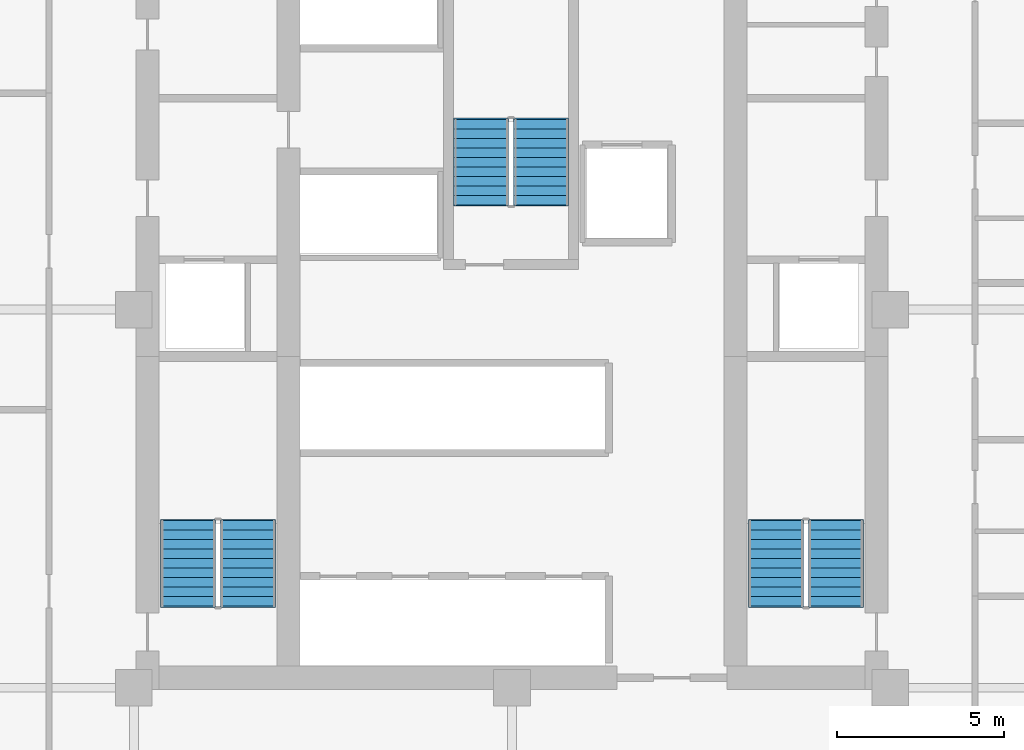
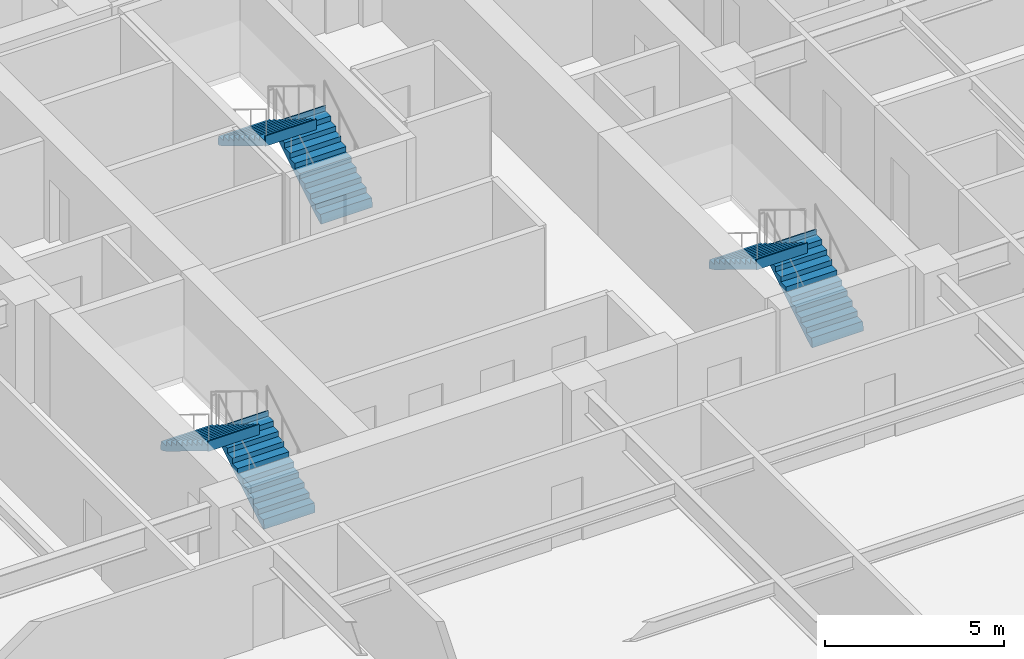
# One storey, part 7 of 8: 6 stair flights, 3 elements without a shape of their own.
"""IFC4 building model written with IfcOpenShell, lengths in metres."""

from ifc_helpers import new_model, si_unit, direction, frame, origin, place, context, subcontext, project, spatial, polyline, outline, extrude, material, type_object, element, aggregate, save


model = new_model("IFC4")

# Units and contexts
model_context = context("Model", 3, precision=1e-05, world=origin(), true_north=direction((0.0, 1.0)))
body_context = subcontext(model_context, "Body", "Model", "MODEL_VIEW")
ifc_project = project(units=[si_unit("LENGTHUNIT", "METRE"), si_unit("AREAUNIT", "SQUARE_METRE"), si_unit("VOLUMEUNIT", "CUBIC_METRE"), si_unit("PLANEANGLEUNIT", "RADIAN"), si_unit("MASSUNIT", "GRAM", prefix="KILO")], contexts=[model_context])

# Site, building, storey
site_placement = place(None, origin())
site = spatial("IfcSite", under=ifc_project, at=site_placement, CompositionType="ELEMENT")
building_placement = place(site_placement, origin())
building = spatial("IfcBuilding", under=site, at=building_placement, Name="Nhamokura Convention Tower", CompositionType="ELEMENT")
storey_placement = place(building_placement, frame((0.0, 0.0, 56.35009765625)))
storey = spatial("IfcBuildingStorey", under=building, at=storey_placement, Name="L12", CompositionType="ELEMENT", Elevation=56.35009765625)

# Stair, stair flights
ifc_material_1 = material(Name="Concrete C40/50", Category="concrete")
stair_type = type_object("IfcStairType", Name="TowerCoreStair_1650", PredefinedType="HALF_TURN_STAIR", material=ifc_material_1)
stair_1_placement = place(storey_placement, origin())
stair_1 = element("IfcStair", 1, at=stair_1_placement, inside=storey, type_object=stair_type, Name="L12 West Core Smokeproof Stair ST-01", PredefinedType="HALF_TURN_STAIR")
ifc_material_2 = material(Name="Concrete C40/50", Category="concrete")
stair_flight_type = type_object("IfcStairFlightType", Name="TowerCoreStair_1650_Flight", PredefinedType="STRAIGHT", material=ifc_material_2)
stair_flight_1_placement = place(storey_placement, frame((24.074951171875, 23.10009765625, 0.0), z_axis=(0.0, 0.0, 1.0), x_axis=(0.0, 1.0, 0.0)))
stair_flight_1 = element("IfcStairFlight", 2, at=stair_flight_1_placement, type_object=stair_flight_type, Name="ST-01 flight 1", NumberOfRisers=10, NumberOfTreads=9, PredefinedType="STRAIGHT", RiserHeight=0.175, TreadLength=0.285, context=body_context, shape_type="SweptSolid", body=[
    extrude(outline(polyline([(-0.0419921875, 0.0), (0.0, 0.175048828125), (0.284912109375, 0.175048828125), (0.284912109375, 0.35009765625), (0.570068359375, 0.35009765625), (0.570068359375, 0.52490234375), (0.85498046875, 0.52490234375), (0.85498046875, 0.699951171875), (1.139892578125, 0.699951171875), (1.139892578125, 0.875), (1.425048828125, 0.875), (1.425048828125, 1.050048828125), (1.7099609375, 1.050048828125), (1.7099609375, 1.22509765625), (1.9951171875, 1.22509765625), (1.9951171875, 1.39990234375), (2.280029296875, 1.39990234375), (2.280029296875, 1.574951171875), (2.56494140625, 1.574951171875), (2.56494140625, 1.75), (2.60693359375, 1.75), (2.60693359375, 1.399169921875), (2.56494140625, 1.399169921875), (0.286376953125, 0.0), (0.02001953125, -0.1298828125), (-0.0419921875, -0.1298828125), (-0.0419921875, 0.0)])), frame((0.0, 0.824951171875, 0.0), z_axis=(0.0, -1.0, 0.0), x_axis=(1.0, 0.0, 0.0)), (0.0, 0.0, 1.0), 1.64990234375),
])
stair_flight_2_placement = place(storey_placement, frame((22.27490234375, 25.6650390625, 1.75), z_axis=(0.0, 0.0, 1.0), x_axis=(0.0, -1.0, 0.0)))
stair_flight_2 = element("IfcStairFlight", 3, at=stair_flight_2_placement, type_object=stair_flight_type, Name="ST-01 flight 2", NumberOfRisers=10, NumberOfTreads=9, PredefinedType="STRAIGHT", RiserHeight=0.175, TreadLength=0.285, context=body_context, shape_type="SweptSolid", body=[
    extrude(outline(polyline([(-0.0419921875, 0.0), (0.0, 0.175048828125), (0.284912109375, 0.175048828125), (0.284912109375, 0.35009765625), (0.570068359375, 0.35009765625), (0.570068359375, 0.52490234375), (0.85498046875, 0.52490234375), (0.85498046875, 0.699951171875), (1.139892578125, 0.699951171875), (1.139892578125, 0.875), (1.425048828125, 0.875), (1.425048828125, 1.050048828125), (1.7099609375, 1.050048828125), (1.7099609375, 1.22509765625), (1.9951171875, 1.22509765625), (1.9951171875, 1.39990234375), (2.280029296875, 1.39990234375), (2.280029296875, 1.574951171875), (2.56494140625, 1.574951171875), (2.56494140625, 1.75), (2.60693359375, 1.75), (2.60693359375, 1.399169921875), (2.56494140625, 1.399169921875), (0.286376953125, 0.0), (0.02001953125, -0.1298828125), (-0.0419921875, -0.1298828125), (-0.0419921875, 0.0)])), frame((0.0, 0.824951171875, 0.0), z_axis=(0.0, -1.0, 0.0), x_axis=(1.0, 0.0, 0.0)), (0.0, 0.0, 1.0), 1.64990234375),
])
aggregate(stair_1, [stair_flight_1, stair_flight_2])

stair_2_placement = place(storey_placement, origin())
stair_2 = element("IfcStair", 4, at=stair_2_placement, inside=storey, type_object=stair_type, Name="L12 East Core Smokeproof Stair ST-02", PredefinedType="HALF_TURN_STAIR")
stair_flight_3_placement = place(storey_placement, frame((41.72509765625, 23.10009765625, 0.0), z_axis=(0.0, 0.0, 1.0), x_axis=(0.0, 1.0, 0.0)))
stair_flight_3 = element("IfcStairFlight", 5, at=stair_flight_3_placement, type_object=stair_flight_type, Name="ST-02 flight 1", NumberOfRisers=10, NumberOfTreads=9, PredefinedType="STRAIGHT", RiserHeight=0.175, TreadLength=0.285, context=body_context, shape_type="SweptSolid", body=[
    extrude(outline(polyline([(-0.0419921875, 0.0), (0.0, 0.175048828125), (0.284912109375, 0.175048828125), (0.284912109375, 0.35009765625), (0.570068359375, 0.35009765625), (0.570068359375, 0.52490234375), (0.85498046875, 0.52490234375), (0.85498046875, 0.699951171875), (1.139892578125, 0.699951171875), (1.139892578125, 0.875), (1.425048828125, 0.875), (1.425048828125, 1.050048828125), (1.7099609375, 1.050048828125), (1.7099609375, 1.22509765625), (1.9951171875, 1.22509765625), (1.9951171875, 1.39990234375), (2.280029296875, 1.39990234375), (2.280029296875, 1.574951171875), (2.56494140625, 1.574951171875), (2.56494140625, 1.75), (2.60693359375, 1.75), (2.60693359375, 1.399169921875), (2.56494140625, 1.399169921875), (0.286376953125, 0.0), (0.02001953125, -0.1298828125), (-0.0419921875, -0.1298828125), (-0.0419921875, 0.0)])), frame((0.0, 0.824951171875, 0.0), z_axis=(0.0, -1.0, 0.0), x_axis=(1.0, 0.0, 0.0)), (0.0, 0.0, 1.0), 1.64990234375),
])
stair_flight_4_placement = place(storey_placement, frame((39.925048828125, 25.6650390625, 1.75), z_axis=(0.0, 0.0, 1.0), x_axis=(0.0, -1.0, 0.0)))
stair_flight_4 = element("IfcStairFlight", 6, at=stair_flight_4_placement, type_object=stair_flight_type, Name="ST-02 flight 2", NumberOfRisers=10, NumberOfTreads=9, PredefinedType="STRAIGHT", RiserHeight=0.175, TreadLength=0.285, context=body_context, shape_type="SweptSolid", body=[
    extrude(outline(polyline([(-0.0419921875, 0.0), (0.0, 0.175048828125), (0.284912109375, 0.175048828125), (0.284912109375, 0.35009765625), (0.570068359375, 0.35009765625), (0.570068359375, 0.52490234375), (0.85498046875, 0.52490234375), (0.85498046875, 0.699951171875), (1.139892578125, 0.699951171875), (1.139892578125, 0.875), (1.425048828125, 0.875), (1.425048828125, 1.050048828125), (1.7099609375, 1.050048828125), (1.7099609375, 1.22509765625), (1.9951171875, 1.22509765625), (1.9951171875, 1.39990234375), (2.280029296875, 1.39990234375), (2.280029296875, 1.574951171875), (2.56494140625, 1.574951171875), (2.56494140625, 1.75), (2.60693359375, 1.75), (2.60693359375, 1.399169921875), (2.56494140625, 1.399169921875), (0.286376953125, 0.0), (0.02001953125, -0.1298828125), (-0.0419921875, -0.1298828125), (-0.0419921875, 0.0)])), frame((0.0, 0.824951171875, 0.0), z_axis=(0.0, -1.0, 0.0), x_axis=(1.0, 0.0, 0.0)), (0.0, 0.0, 1.0), 1.64990234375),
])
aggregate(stair_2, [stair_flight_3, stair_flight_4])

stair_3_placement = place(storey_placement, origin())
stair_3 = element("IfcStair", 7, at=stair_3_placement, inside=storey, type_object=stair_type, Name="L12 North Core Smokeproof Stair ST-03", PredefinedType="HALF_TURN_STAIR")
stair_flight_5_placement = place(storey_placement, frame((32.875, 35.14990234375, 0.0), z_axis=(0.0, 0.0, 1.0), x_axis=(0.0, 1.0, 0.0)))
stair_flight_5 = element("IfcStairFlight", 8, at=stair_flight_5_placement, type_object=stair_flight_type, Name="ST-03 flight 1", NumberOfRisers=10, NumberOfTreads=9, PredefinedType="STRAIGHT", RiserHeight=0.175, TreadLength=0.285, context=body_context, shape_type="SweptSolid", body=[
    extrude(outline(polyline([(-0.0419921875, 0.0), (0.0, 0.175048828125), (0.284912109375, 0.175048828125), (0.284912109375, 0.35009765625), (0.570068359375, 0.35009765625), (0.570068359375, 0.52490234375), (0.85498046875, 0.52490234375), (0.85498046875, 0.699951171875), (1.139892578125, 0.699951171875), (1.139892578125, 0.875), (1.425048828125, 0.875), (1.425048828125, 1.050048828125), (1.7099609375, 1.050048828125), (1.7099609375, 1.22509765625), (1.9951171875, 1.22509765625), (1.9951171875, 1.39990234375), (2.280029296875, 1.39990234375), (2.280029296875, 1.574951171875), (2.56494140625, 1.574951171875), (2.56494140625, 1.75), (2.60693359375, 1.75), (2.60693359375, 1.399169921875), (2.56494140625, 1.399169921875), (0.286376953125, 0.0), (0.02001953125, -0.1298828125), (-0.0419921875, -0.1298828125), (-0.0419921875, 0.0)])), frame((0.0, 0.824951171875, 0.0), z_axis=(0.0, -1.0, 0.0), x_axis=(1.0, 0.0, 0.0)), (0.0, 0.0, 1.0), 1.64990234375),
])
stair_flight_6_placement = place(storey_placement, frame((31.074951171875, 37.715087890625, 1.75), z_axis=(0.0, 0.0, 1.0), x_axis=(0.0, -1.0, 0.0)))
stair_flight_6 = element("IfcStairFlight", 9, at=stair_flight_6_placement, type_object=stair_flight_type, Name="ST-03 flight 2", NumberOfRisers=10, NumberOfTreads=9, PredefinedType="STRAIGHT", RiserHeight=0.175, TreadLength=0.285, context=body_context, shape_type="SweptSolid", body=[
    extrude(outline(polyline([(-0.0419921875, 0.0), (0.0, 0.175048828125), (0.284912109375, 0.175048828125), (0.284912109375, 0.35009765625), (0.570068359375, 0.35009765625), (0.570068359375, 0.52490234375), (0.85498046875, 0.52490234375), (0.85498046875, 0.699951171875), (1.139892578125, 0.699951171875), (1.139892578125, 0.875), (1.425048828125, 0.875), (1.425048828125, 1.050048828125), (1.7099609375, 1.050048828125), (1.7099609375, 1.22509765625), (1.9951171875, 1.22509765625), (1.9951171875, 1.39990234375), (2.280029296875, 1.39990234375), (2.280029296875, 1.574951171875), (2.56494140625, 1.574951171875), (2.56494140625, 1.75), (2.60693359375, 1.75), (2.60693359375, 1.399169921875), (2.56494140625, 1.399169921875), (0.286376953125, 0.0), (0.02001953125, -0.1298828125), (-0.0419921875, -0.1298828125), (-0.0419921875, 0.0)])), frame((0.0, 0.824951171875, 0.0), z_axis=(0.0, -1.0, 0.0), x_axis=(1.0, 0.0, 0.0)), (0.0, 0.0, 1.0), 1.64990234375),
])
aggregate(stair_3, [stair_flight_5, stair_flight_6])

save(model, "model.ifc")
